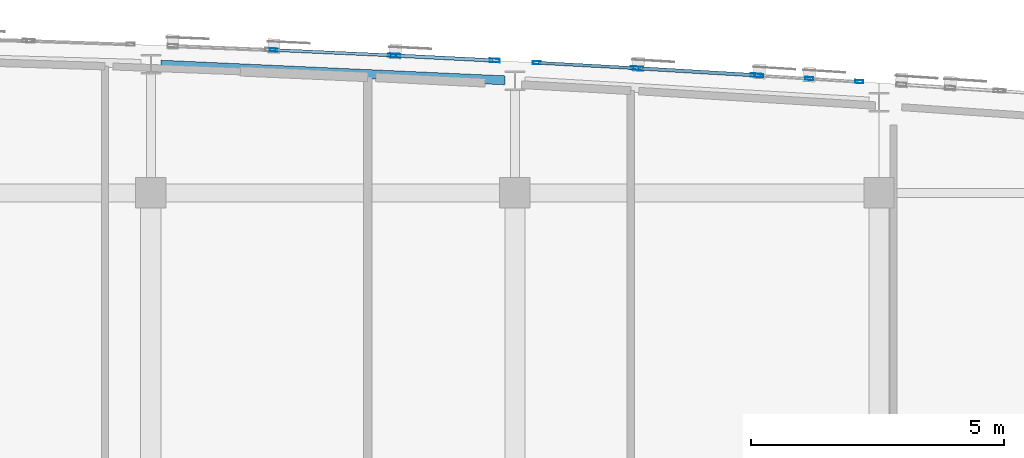
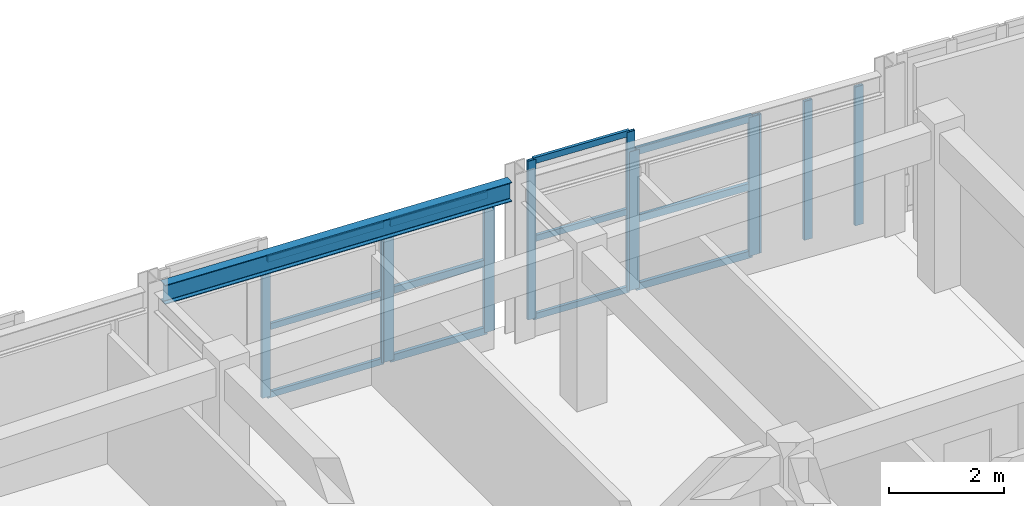
# One storey, part 20 of 41: 23 members, 1 beam, 5 elements without a shape of their own.
"""IFC4 building model written with IfcOpenShell, lengths in metres."""

from ifc_helpers import new_model, si_unit, direction, frame, origin, origin_2d, place, context, subcontext, project, spatial, hollow_rectangle, i_section, extrude, material, layer, layer_set, material_profile, profile_set, type_object, element, aggregate, save


model = new_model("IFC4")

# Units and contexts
model_context = context("Model", 3, precision=1e-05, world=origin(), true_north=direction((0.0, 1.0)))
body_context = subcontext(model_context, "Body", "Model", "MODEL_VIEW")
ifc_project = project(units=[si_unit("LENGTHUNIT", "METRE"), si_unit("AREAUNIT", "SQUARE_METRE"), si_unit("VOLUMEUNIT", "CUBIC_METRE"), si_unit("PLANEANGLEUNIT", "RADIAN"), si_unit("MASSUNIT", "GRAM", prefix="KILO")], contexts=[model_context])

# Site, building, storey
site_placement = place(None, origin())
site = spatial("IfcSite", under=ifc_project, at=site_placement, CompositionType="ELEMENT")
building_placement = place(site_placement, origin())
building = spatial("IfcBuilding", under=site, at=building_placement, Name="Carrowvane Square Congress Hotel", CompositionType="ELEMENT")
storey_placement = place(building_placement, frame((0.0, 0.0, 37.199951171875)))
storey = spatial("IfcBuildingStorey", under=building, at=storey_placement, Name="L09", CompositionType="ELEMENT", Elevation=37.199951171875)

# Beam
ifc_material_1 = material(Name="Steel S355", Category="steel")
ifc_material_profile_1 = material_profile(ifc_material_1, i_section(OverallWidth=0.1787109375, OverallDepth=0.409423828125, WebThickness=0.0087890625, FlangeThickness=0.014404296875, FilletRadius=0.01025390625, at=origin_2d()), Name="UKB 406x178x67")
ifc_profile_set_1 = profile_set([ifc_material_profile_1], Name="Steel S355")
beam_type = type_object("IfcBeamType", Name="BM-ST-UKB406", PredefinedType="BEAM", material=ifc_profile_set_1)
beam_placement = place(storey_placement, frame((112.59716796875, 115.93505859375, 3.17529296875), z_axis=(0.99897355857, -0.045297122185, 0.0), x_axis=(0.045297122185, 0.99897355857, 0.0)))
element("IfcBeam", 1, at=beam_placement, inside=storey, type_object=beam_type, Name="L10 curved north spandrel", PredefinedType="BEAM", context=body_context, shape_type="SweptSolid", body=[
    extrude(i_section(OverallWidth=0.1787109375, OverallDepth=0.409423828125, WebThickness=0.0087890625, FlangeThickness=0.014404296875, FilletRadius=0.01025390625, at=origin_2d()), origin(), (0.0, 0.0, 1.0), 6.812744140625),
])

# Curtain wall, members
ifc_material_2 = material(Name="Anodised aluminium", Category="aluminium")
ifc_layer_1 = layer(ifc_material_2, 0.18603515625)
ifc_layer_set_1 = layer_set([ifc_layer_1], Name="Anodised aluminium")
curtain_wall_type_1 = type_object("IfcCurtainWallType", Name="CW-SYS-3", PredefinedType="NOTDEFINED", material=ifc_layer_set_1)
curtain_wall_1_placement = place(storey_placement, origin())
curtain_wall_1 = element("IfcCurtainWall", 2, at=curtain_wall_1_placement, inside=storey, type_object=curtain_wall_type_1, Name="L09 unitised curtain wall 538", PredefinedType="NOTDEFINED")
ifc_material_3 = material(Name="Anodised aluminium", Category="aluminium")
ifc_material_profile_2 = material_profile(ifc_material_3, hollow_rectangle(XDim=0.06005859375, YDim=0.159912109375, WallThickness=0.00390625, at=origin_2d()), Name="CW-ML 60x160x4")
ifc_profile_set_2 = profile_set([ifc_material_profile_2], Name="Anodised aluminium")
member_type_1 = type_object("IfcMemberType", Name="CW-MUL-1", PredefinedType="MULLION", material=ifc_profile_set_2)
member_1_placement = place(storey_placement, frame((114.830078125, 116.226318359375, 0.0), z_axis=(0.0, 0.0, 1.0), x_axis=(0.045411059449, 0.998968385726, 0.0)))
member_1 = element("IfcMember", 3, at=member_1_placement, type_object=member_type_1, Name="CW-3 mullion 1", PredefinedType="MULLION", context=body_context, shape_type="SweptSolid", body=[
    extrude(hollow_rectangle(XDim=0.06005859375, YDim=0.159912109375, WallThickness=0.00390625, at=origin_2d()), origin(), (0.0, 0.0, 1.0), 2.95556640625),
])
member_2_placement = place(storey_placement, frame((117.170166015625, 116.119873046875, 0.0), z_axis=(0.0, 0.0, 1.0), x_axis=(0.045411059449, 0.998968385726, 0.0)))
member_2 = element("IfcMember", 4, at=member_2_placement, type_object=member_type_1, Name="CW-3 mullion 2", PredefinedType="MULLION", context=body_context, shape_type="SweptSolid", body=[
    extrude(hollow_rectangle(XDim=0.06005859375, YDim=0.159912109375, WallThickness=0.00390625, at=origin_2d()), origin(), (0.0, 0.0, 1.0), 2.95556640625),
])

ifc_material_4 = material(Name="Anodised aluminium", Category="aluminium")
ifc_layer_2 = layer(ifc_material_4, 0.2099609375)
ifc_layer_set_2 = layer_set([ifc_layer_2], Name="Anodised aluminium")
curtain_wall_type_2 = type_object("IfcCurtainWallType", Name="CW-SYS-5", PredefinedType="NOTDEFINED", material=ifc_layer_set_2)
curtain_wall_2_placement = place(storey_placement, origin())
curtain_wall_2 = element("IfcCurtainWall", 5, at=curtain_wall_2_placement, inside=storey, type_object=curtain_wall_type_2, Name="L09 unitised curtain wall 540", PredefinedType="NOTDEFINED")
member_3_placement = place(storey_placement, frame((120.034423828125, 115.9736328125, 0.0), z_axis=(0.0, 0.0, 1.0), x_axis=(0.054815980317, 0.998496473856, 0.0)))
member_3 = element("IfcMember", 6, at=member_3_placement, type_object=member_type_1, Name="CW-5 mullion 1", PredefinedType="MULLION", context=body_context, shape_type="SweptSolid", body=[
    extrude(hollow_rectangle(XDim=0.06005859375, YDim=0.159912109375, WallThickness=0.00390625, at=origin_2d()), origin(), (0.0, 0.0, 1.0), 3.380126953125),
])
member_4_placement = place(storey_placement, frame((121.969970703125, 115.867431640625, 0.0), z_axis=(0.0, 0.0, 1.0), x_axis=(0.054815980317, 0.998496473856, 0.0)))
member_4 = element("IfcMember", 7, at=member_4_placement, type_object=member_type_1, Name="CW-5 mullion 2", PredefinedType="MULLION", context=body_context, shape_type="SweptSolid", body=[
    extrude(hollow_rectangle(XDim=0.06005859375, YDim=0.159912109375, WallThickness=0.00390625, at=origin_2d()), origin(), (0.0, 0.0, 1.0), 3.380126953125),
])

ifc_material_5 = material(Name="Anodised aluminium", Category="aluminium")
ifc_layer_3 = layer(ifc_material_5, 0.23388671875)
ifc_layer_set_3 = layer_set([ifc_layer_3], Name="Anodised aluminium")
curtain_wall_type_3 = type_object("IfcCurtainWallType", Name="CW-SYS-7", PredefinedType="NOTDEFINED", material=ifc_layer_set_3)
curtain_wall_3_placement = place(storey_placement, origin())
curtain_wall_3 = element("IfcCurtainWall", 8, at=curtain_wall_3_placement, inside=storey, type_object=curtain_wall_type_3, Name="L09 unitised curtain wall 542", PredefinedType="NOTDEFINED")
member_5_placement = place(storey_placement, frame((124.429931640625, 115.722412109375, 0.0), z_axis=(0.0, 0.0, 1.0), x_axis=(0.062397170272, 0.998051398046, 0.0)))
member_5 = element("IfcMember", 9, at=member_5_placement, type_object=member_type_1, Name="CW-7 mullion 1", PredefinedType="MULLION", context=body_context, shape_type="SweptSolid", body=[
    extrude(hollow_rectangle(XDim=0.06005859375, YDim=0.159912109375, WallThickness=0.00390625, at=origin_2d()), origin(), (0.0, 0.0, 1.0), 2.95556640625),
])
member_6_placement = place(storey_placement, frame((125.419921875, 115.66064453125, 0.0), z_axis=(0.0, 0.0, 1.0), x_axis=(0.062397170272, 0.998051398046, 0.0)))
member_6 = element("IfcMember", 10, at=member_6_placement, type_object=member_type_1, Name="CW-7 mullion 2", PredefinedType="MULLION", context=body_context, shape_type="SweptSolid", body=[
    extrude(hollow_rectangle(XDim=0.06005859375, YDim=0.159912109375, WallThickness=0.00390625, at=origin_2d()), origin(), (0.0, 0.0, 1.0), 2.95556640625),
])
member_7_placement = place(storey_placement, frame((126.41015625, 115.5986328125, 0.0), z_axis=(0.0, 0.0, 1.0), x_axis=(0.062397170272, 0.998051398046, 0.0)))
member_7 = element("IfcMember", 11, at=member_7_placement, type_object=member_type_1, Name="CW-7 mullion 3", PredefinedType="MULLION", context=body_context, shape_type="SweptSolid", body=[
    extrude(hollow_rectangle(XDim=0.06005859375, YDim=0.159912109375, WallThickness=0.00390625, at=origin_2d()), origin(), (0.0, 0.0, 1.0), 2.95556640625),
])
aggregate(curtain_wall_3, [member_5, member_6, member_7])

ifc_material_6 = material(Name="Anodised aluminium", Category="aluminium")
ifc_layer_4 = layer(ifc_material_6, 0.197998046875)
ifc_layer_set_4 = layer_set([ifc_layer_4], Name="Anodised aluminium")
curtain_wall_type_4 = type_object("IfcCurtainWallType", Name="CW-SYS-4", PredefinedType="NOTDEFINED", material=ifc_layer_set_4)
curtain_wall_4_placement = place(storey_placement, origin())
curtain_wall_4 = element("IfcCurtainWall", 12, at=curtain_wall_4_placement, inside=storey, type_object=curtain_wall_type_4, Name="L09 unitised curtain wall 539", PredefinedType="NOTDEFINED")
ifc_material_7 = material(Name="Anodised aluminium", Category="aluminium")
ifc_material_profile_3 = material_profile(ifc_material_7, hollow_rectangle(XDim=0.070068359375, YDim=0.199951171875, WallThickness=0.0048828125, at=origin_2d()), Name="CW-ML 70x200x5")
ifc_profile_set_3 = profile_set([ifc_material_profile_3], Name="Anodised aluminium")
member_type_2 = type_object("IfcMemberType", Name="CW-MUL-2", PredefinedType="MULLION", material=ifc_profile_set_3)
member_8_placement = place(storey_placement, frame((117.23486328125, 116.11669921875, 0.0), z_axis=(0.0, 0.0, 1.0), x_axis=(0.050323791596, 0.998732955299, 0.0)))
member_8 = element("IfcMember", 13, at=member_8_placement, type_object=member_type_2, Name="CW-4 mullion 1", PredefinedType="MULLION", context=body_context, shape_type="SweptSolid", body=[
    extrude(hollow_rectangle(XDim=0.070068359375, YDim=0.199951171875, WallThickness=0.0048828125, at=origin_2d()), origin(), (0.0, 0.0, 1.0), 2.95556640625),
])
member_9_placement = place(storey_placement, frame((119.200439453125, 116.017822265625, 0.0), z_axis=(0.0, 0.0, 1.0), x_axis=(0.050323791596, 0.998732955299, 0.0)))
member_9 = element("IfcMember", 14, at=member_9_placement, type_object=member_type_2, Name="CW-4 mullion 2", PredefinedType="MULLION", context=body_context, shape_type="SweptSolid", body=[
    extrude(hollow_rectangle(XDim=0.070068359375, YDim=0.199951171875, WallThickness=0.0048828125, at=origin_2d()), origin(), (0.0, 0.0, 1.0), 2.95556640625),
])

ifc_material_8 = material(Name="Anodised aluminium", Category="aluminium")
ifc_layer_5 = layer(ifc_material_8, 0.221923828125)
ifc_layer_set_5 = layer_set([ifc_layer_5], Name="Anodised aluminium")
curtain_wall_type_5 = type_object("IfcCurtainWallType", Name="CW-SYS-6", PredefinedType="NOTDEFINED", material=ifc_layer_set_5)
curtain_wall_5_placement = place(storey_placement, origin())
curtain_wall_5 = element("IfcCurtainWall", 15, at=curtain_wall_5_placement, inside=storey, type_object=curtain_wall_type_5, Name="L09 unitised curtain wall 541", PredefinedType="NOTDEFINED")
member_10_placement = place(storey_placement, frame((122.034912109375, 115.86376953125, 0.0), z_axis=(0.0, 0.0, 1.0), x_axis=(0.058851249486, 0.998266763162, 0.0)))
member_10 = element("IfcMember", 16, at=member_10_placement, type_object=member_type_2, Name="CW-6 mullion 1", PredefinedType="MULLION", context=body_context, shape_type="SweptSolid", body=[
    extrude(hollow_rectangle(XDim=0.070068359375, YDim=0.199951171875, WallThickness=0.0048828125, at=origin_2d()), origin(), (0.0, 0.0, 1.0), 2.95556640625),
])
member_11_placement = place(storey_placement, frame((124.364990234375, 115.726318359375, 0.0), z_axis=(0.0, 0.0, 1.0), x_axis=(0.058851249486, 0.998266763162, 0.0)))
member_11 = element("IfcMember", 17, at=member_11_placement, type_object=member_type_2, Name="CW-6 mullion 2", PredefinedType="MULLION", context=body_context, shape_type="SweptSolid", body=[
    extrude(hollow_rectangle(XDim=0.070068359375, YDim=0.199951171875, WallThickness=0.0048828125, at=origin_2d()), origin(), (0.0, 0.0, 1.0), 2.95556640625),
])

# Member
ifc_material_9 = material(Name="Anodised aluminium", Category="aluminium")
ifc_material_profile_4 = material_profile(ifc_material_9, hollow_rectangle(XDim=0.06005859375, YDim=0.1298828125, WallThickness=0.00390625, at=origin_2d()), Name="CW-TR 60x130x4")
ifc_profile_set_4 = profile_set([ifc_material_profile_4], Name="Anodised aluminium")
member_type_3 = type_object("IfcMemberType", Name="CW-TRN-1", PredefinedType="USERDEFINED", material=ifc_profile_set_4)
member_12_placement = place(storey_placement, frame((114.85986328125, 116.224853515625, 0.030029296875), z_axis=(0.998971184853, -0.045349441368, 0.0), x_axis=(0.045349441368, 0.998971184853, 0.0)))
member_12 = element("IfcMember", 18, at=member_12_placement, type_object=member_type_3, Name="CW-3 transom 1.1", ObjectType="TRANSOM", PredefinedType="USERDEFINED", context=body_context, shape_type="SweptSolid", body=[
    extrude(hollow_rectangle(XDim=0.06005859375, YDim=0.1298828125, WallThickness=0.00390625, at=origin_2d()), origin(), (0.0, 0.0, 1.0), 2.28271484375),
])

member_13_placement = place(storey_placement, frame((114.85986328125, 116.224853515625, 1.477783203125), z_axis=(0.998971184853, -0.045349441368, 0.0), x_axis=(0.045349441368, 0.998971184853, 0.0)))
member_13 = element("IfcMember", 19, at=member_13_placement, type_object=member_type_3, Name="CW-3 transom 1.2", ObjectType="TRANSOM", PredefinedType="USERDEFINED", context=body_context, shape_type="SweptSolid", body=[
    extrude(hollow_rectangle(XDim=0.06005859375, YDim=0.1298828125, WallThickness=0.00390625, at=origin_2d()), origin(), (0.0, 0.0, 1.0), 2.28271484375),
])

member_14_placement = place(storey_placement, frame((114.85986328125, 116.224853515625, 2.925537109375), z_axis=(0.998971184853, -0.045349441368, 0.0), x_axis=(0.045349441368, 0.998971184853, 0.0)))
member_14 = element("IfcMember", 20, at=member_14_placement, type_object=member_type_3, Name="CW-3 transom 1.3", ObjectType="TRANSOM", PredefinedType="USERDEFINED", context=body_context, shape_type="SweptSolid", body=[
    extrude(hollow_rectangle(XDim=0.06005859375, YDim=0.1298828125, WallThickness=0.00390625, at=origin_2d()), origin(), (0.0, 0.0, 1.0), 2.28271484375),
])

aggregate(curtain_wall_1, [member_1, member_2, member_12, member_13, member_14])

member_15_placement = place(storey_placement, frame((120.064453125, 115.97216796875, 0.030029296875), z_axis=(0.99849494655, -0.054843793758, 0.0), x_axis=(0.054843793758, 0.99849494655, 0.0)))
member_15 = element("IfcMember", 21, at=member_15_placement, type_object=member_type_3, Name="CW-5 transom 1.1", ObjectType="TRANSOM", PredefinedType="USERDEFINED", context=body_context, shape_type="SweptSolid", body=[
    extrude(hollow_rectangle(XDim=0.06005859375, YDim=0.1298828125, WallThickness=0.00390625, at=origin_2d()), origin(), (0.0, 0.0, 1.0), 1.878662109375),
])

member_16_placement = place(storey_placement, frame((120.064453125, 115.97216796875, 1.68994140625), z_axis=(0.99849494655, -0.054843793758, 0.0), x_axis=(0.054843793758, 0.99849494655, 0.0)))
member_16 = element("IfcMember", 22, at=member_16_placement, type_object=member_type_3, Name="CW-5 transom 1.2", ObjectType="TRANSOM", PredefinedType="USERDEFINED", context=body_context, shape_type="SweptSolid", body=[
    extrude(hollow_rectangle(XDim=0.06005859375, YDim=0.1298828125, WallThickness=0.00390625, at=origin_2d()), origin(), (0.0, 0.0, 1.0), 1.878662109375),
])

member_17_placement = place(storey_placement, frame((120.064453125, 115.97216796875, 3.35009765625), z_axis=(0.99849494655, -0.054843793758, 0.0), x_axis=(0.054843793758, 0.99849494655, 0.0)))
member_17 = element("IfcMember", 23, at=member_17_placement, type_object=member_type_3, Name="CW-5 transom 1.3", ObjectType="TRANSOM", PredefinedType="USERDEFINED", context=body_context, shape_type="SweptSolid", body=[
    extrude(hollow_rectangle(XDim=0.06005859375, YDim=0.1298828125, WallThickness=0.00390625, at=origin_2d()), origin(), (0.0, 0.0, 1.0), 1.878662109375),
])

aggregate(curtain_wall_2, [member_3, member_4, member_15, member_16, member_17])

ifc_material_10 = material(Name="Anodised aluminium", Category="aluminium")
ifc_material_profile_5 = material_profile(ifc_material_10, hollow_rectangle(XDim=0.070068359375, YDim=0.14990234375, WallThickness=0.0048828125, at=origin_2d()), Name="CW-TR 70x150x5")
ifc_profile_set_5 = profile_set([ifc_material_profile_5], Name="Anodised aluminium")
member_type_4 = type_object("IfcMemberType", Name="CW-TRN-2", PredefinedType="USERDEFINED", material=ifc_profile_set_5)
member_18_placement = place(storey_placement, frame((117.27001953125, 116.114990234375, 0.03515625), z_axis=(0.998734310046, -0.050296897891, 0.0), x_axis=(0.050296897891, 0.998734310046, 0.0)))
member_18 = element("IfcMember", 24, at=member_18_placement, type_object=member_type_4, Name="CW-4 transom 1.1", ObjectType="TRANSOM", PredefinedType="USERDEFINED", context=body_context, shape_type="SweptSolid", body=[
    extrude(hollow_rectangle(XDim=0.070068359375, YDim=0.14990234375, WallThickness=0.0048828125, at=origin_2d()), origin(), (0.0, 0.0, 1.0), 1.89794921875),
])

member_19_placement = place(storey_placement, frame((117.27001953125, 116.114990234375, 1.477783203125), z_axis=(0.998734310046, -0.050296897891, 0.0), x_axis=(0.050296897891, 0.998734310046, 0.0)))
member_19 = element("IfcMember", 25, at=member_19_placement, type_object=member_type_4, Name="CW-4 transom 1.2", ObjectType="TRANSOM", PredefinedType="USERDEFINED", context=body_context, shape_type="SweptSolid", body=[
    extrude(hollow_rectangle(XDim=0.070068359375, YDim=0.14990234375, WallThickness=0.0048828125, at=origin_2d()), origin(), (0.0, 0.0, 1.0), 1.89794921875),
])

member_20_placement = place(storey_placement, frame((117.27001953125, 116.114990234375, 2.920654296875), z_axis=(0.998734310046, -0.050296897891, 0.0), x_axis=(0.050296897891, 0.998734310046, 0.0)))
member_20 = element("IfcMember", 26, at=member_20_placement, type_object=member_type_4, Name="CW-4 transom 1.3", ObjectType="TRANSOM", PredefinedType="USERDEFINED", context=body_context, shape_type="SweptSolid", body=[
    extrude(hollow_rectangle(XDim=0.070068359375, YDim=0.14990234375, WallThickness=0.0048828125, at=origin_2d()), origin(), (0.0, 0.0, 1.0), 1.89794921875),
])

aggregate(curtain_wall_4, [member_8, member_9, member_18, member_19, member_20])

member_21_placement = place(storey_placement, frame((122.06982421875, 115.86181640625, 0.03515625), z_axis=(0.998265438007, -0.058873723175, 0.0), x_axis=(0.058873723175, 0.998265438007, 0.0)))
member_21 = element("IfcMember", 27, at=member_21_placement, type_object=member_type_4, Name="CW-6 transom 1.1", ObjectType="TRANSOM", PredefinedType="USERDEFINED", context=body_context, shape_type="SweptSolid", body=[
    extrude(hollow_rectangle(XDim=0.070068359375, YDim=0.14990234375, WallThickness=0.0048828125, at=origin_2d()), origin(), (0.0, 0.0, 1.0), 2.26416015625),
])

member_22_placement = place(storey_placement, frame((122.06982421875, 115.86181640625, 1.477783203125), z_axis=(0.998265438007, -0.058873723175, 0.0), x_axis=(0.058873723175, 0.998265438007, 0.0)))
member_22 = element("IfcMember", 28, at=member_22_placement, type_object=member_type_4, Name="CW-6 transom 1.2", ObjectType="TRANSOM", PredefinedType="USERDEFINED", context=body_context, shape_type="SweptSolid", body=[
    extrude(hollow_rectangle(XDim=0.070068359375, YDim=0.14990234375, WallThickness=0.0048828125, at=origin_2d()), origin(), (0.0, 0.0, 1.0), 2.26416015625),
])

member_23_placement = place(storey_placement, frame((122.06982421875, 115.86181640625, 2.920654296875), z_axis=(0.998265438007, -0.058873723175, 0.0), x_axis=(0.058873723175, 0.998265438007, 0.0)))
member_23 = element("IfcMember", 29, at=member_23_placement, type_object=member_type_4, Name="CW-6 transom 1.3", ObjectType="TRANSOM", PredefinedType="USERDEFINED", context=body_context, shape_type="SweptSolid", body=[
    extrude(hollow_rectangle(XDim=0.070068359375, YDim=0.14990234375, WallThickness=0.0048828125, at=origin_2d()), origin(), (0.0, 0.0, 1.0), 2.26416015625),
])

aggregate(curtain_wall_5, [member_10, member_11, member_21, member_22, member_23])

save(model, "model.ifc")
